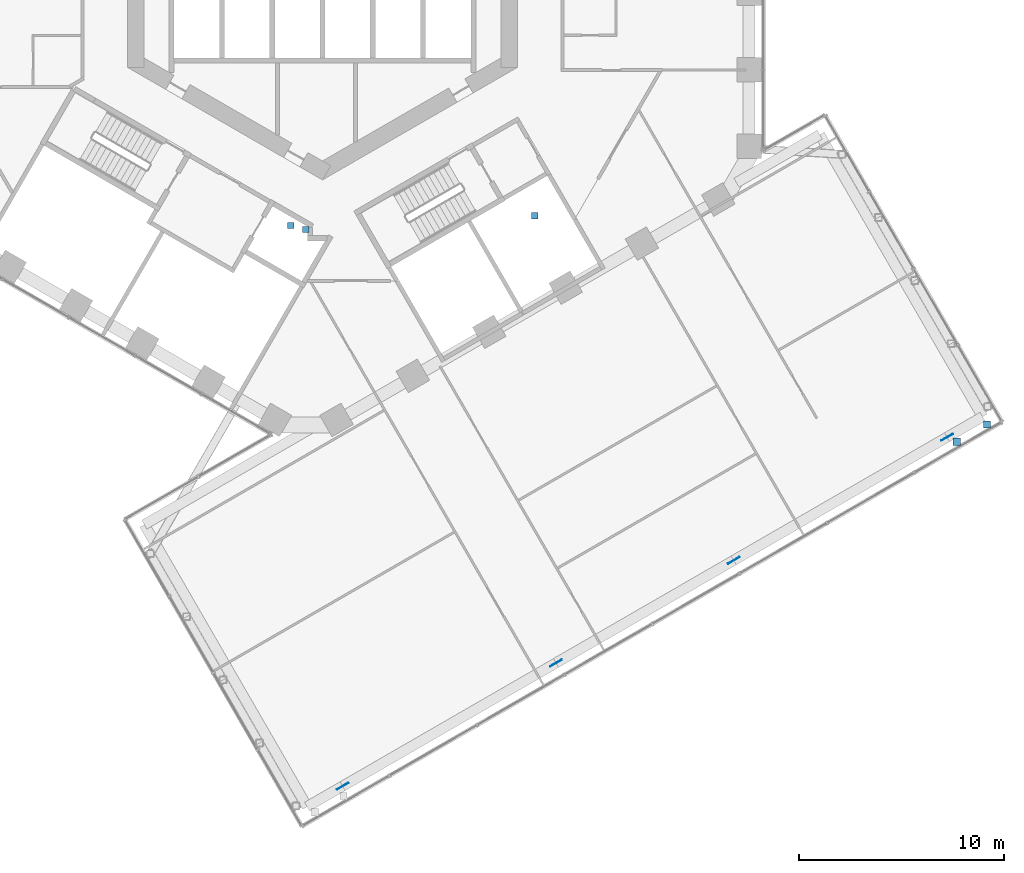
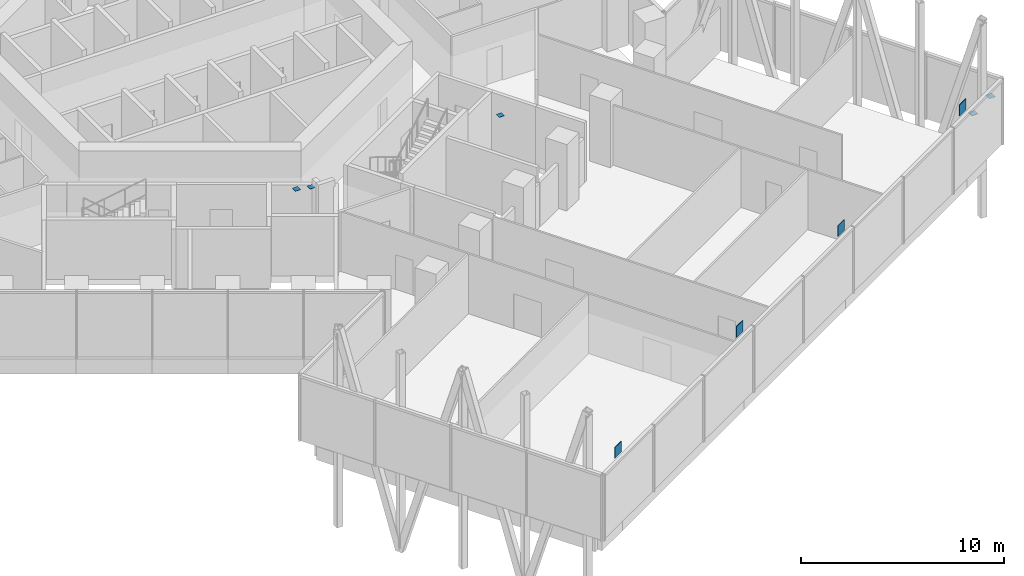
# One storey, part 23 of 27: 9 discrete accessories.
"""IFC4 building model written with IfcOpenShell, lengths in metres."""

from ifc_helpers import new_model, si_unit, direction, frame, origin, origin_2d, place, context, subcontext, project, spatial, rectangle, extrude, material, layer, layer_set, type_object, element, save


model = new_model("IFC4")

# Units and contexts
model_context = context("Model", 3, precision=1e-05, world=origin(), true_north=direction((0.0, 1.0)))
body_context = subcontext(model_context, "Body", "Model", "MODEL_VIEW")
ifc_project = project(units=[si_unit("LENGTHUNIT", "METRE"), si_unit("AREAUNIT", "SQUARE_METRE"), si_unit("VOLUMEUNIT", "CUBIC_METRE"), si_unit("PLANEANGLEUNIT", "RADIAN"), si_unit("MASSUNIT", "GRAM", prefix="KILO")], contexts=[model_context])

# Site, building, storey
site_placement = place(None, origin())
site = spatial("IfcSite", under=ifc_project, at=site_placement, CompositionType="ELEMENT")
building_placement = place(site_placement, origin())
building = spatial("IfcBuilding", under=site, at=building_placement, Name="Ayvan Gate Tower", CompositionType="ELEMENT")
storey_placement = place(building_placement, frame((0.0, 0.0, 70.300048828125)))
storey = spatial("IfcBuildingStorey", under=building, at=storey_placement, Name="L18", CompositionType="ELEMENT", Elevation=70.300048828125)

# Discrete accessories
ifc_material = material(Name="Steel S460ML", Category="steel")
ifc_layer_1 = layer(ifc_material, 0.034912109375)
ifc_layer_set_1 = layer_set([ifc_layer_1], Name="Steel S460ML")
discrete_accessory_type_1 = type_object("IfcDiscreteAccessoryType", Name="Gusset plate 35 mm", PredefinedType="BRACKET", material=ifc_layer_set_1)
for number, where, z_axis, x_axis, name in (
    (1, (11.377685546875, -34.506591796875, 3.27490234375), (0.0, 0.0, 1.0), (0.866025403784, 0.5, 0.0), "Gusset plate EXO-B1-D1A"),
    (2, (0.9853515625, -40.506591796875, 3.27490234375), (0.0, 0.0, 1.0), (0.866025403784, 0.5, 0.0), "Gusset plate EXO-B1-D1B"),
    (3, (20.037841796875, -29.506591796875, 3.27490234375), (0.0, 0.0, 1.0), (0.866025403784, 0.5, 0.0), "Gusset plate EXO-B1-D2A"),
    (4, (30.43017578125, -23.506591796875, 3.27490234375), (0.0, 0.0, 1.0), (0.866025403784, 0.5, 0.0), "Gusset plate EXO-B1-D3A"),
):
    element("IfcDiscreteAccessory", number, at=place(storey_placement, frame(where, z_axis=z_axis, x_axis=x_axis)), inside=storey, type_object=discrete_accessory_type_1, Name=name, PredefinedType="BRACKET", context=body_context, shape_type="SweptSolid", body=[
        extrude(rectangle(XDim=0.650146484375, YDim=0.034912109375, at=origin_2d()), origin(), (0.0, 0.0, 1.0), 0.650146484375),
    ])
ifc_layer_2 = layer(ifc_material, 0.02001953125)
ifc_layer_set_2 = layer_set([ifc_layer_2], Name="Steel S460ML")
discrete_accessory_type_2 = type_object("IfcDiscreteAccessoryType", Name="Sky bar end cap plate", PredefinedType="BRACKET", material=ifc_layer_set_2)
for number, where, z_axis, x_axis, name in (
    (5, (-1.542236328125, -13.18505859375, 3.599853515625), (0.0, 0.0, 1.0), (1.0, 0.0, 0.0), "End cap SBT1-1-U-1:EC"),
    (6, (-0.817138671875, -13.384521484375, 3.599853515625), (0.0, 0.0, 1.0), (1.0, 0.0, 0.0), "End cap SBT1-2-U-1:EC"),
    (7, (10.341064453125, -12.711181640625, 3.599853515625), (0.0, 0.0, 1.0), (1.0, 0.0, 0.0), "End cap SBT1-3-U-2:EC"),
):
    element("IfcDiscreteAccessory", number, at=place(storey_placement, frame(where, z_axis=z_axis, x_axis=x_axis)), inside=storey, type_object=discrete_accessory_type_2, Name=name, PredefinedType="BRACKET", context=body_context, shape_type="SweptSolid", body=[
        extrude(rectangle(XDim=0.300048828125, YDim=0.300048828125, at=origin_2d()), origin(), (0.0, 0.0, 1.0), 0.02001953125),
    ])
for number, where, z_axis, x_axis, name in (
    (8, (32.377197265625, -22.87890625, 3.199951171875), (0.0, 0.0, 1.0), (1.0, 0.0, 0.0), "End cap SBX1-C-P-1:EC1"),
    (9, (30.905029296875, -23.72900390625, 3.199951171875), (0.0, 0.0, 1.0), (1.0, 0.0, 0.0), "End cap SBX1-C-P-2:EC1"),
):
    element("IfcDiscreteAccessory", number, at=place(storey_placement, frame(where, z_axis=z_axis, x_axis=x_axis)), inside=storey, type_object=discrete_accessory_type_2, Name=name, PredefinedType="BRACKET", context=body_context, shape_type="SweptSolid", body=[
        extrude(rectangle(XDim=0.35009765625, YDim=0.35009765625, at=origin_2d()), origin(), (0.0, 0.0, 1.0), 0.02001953125),
    ])

save(model, "model.ifc")
